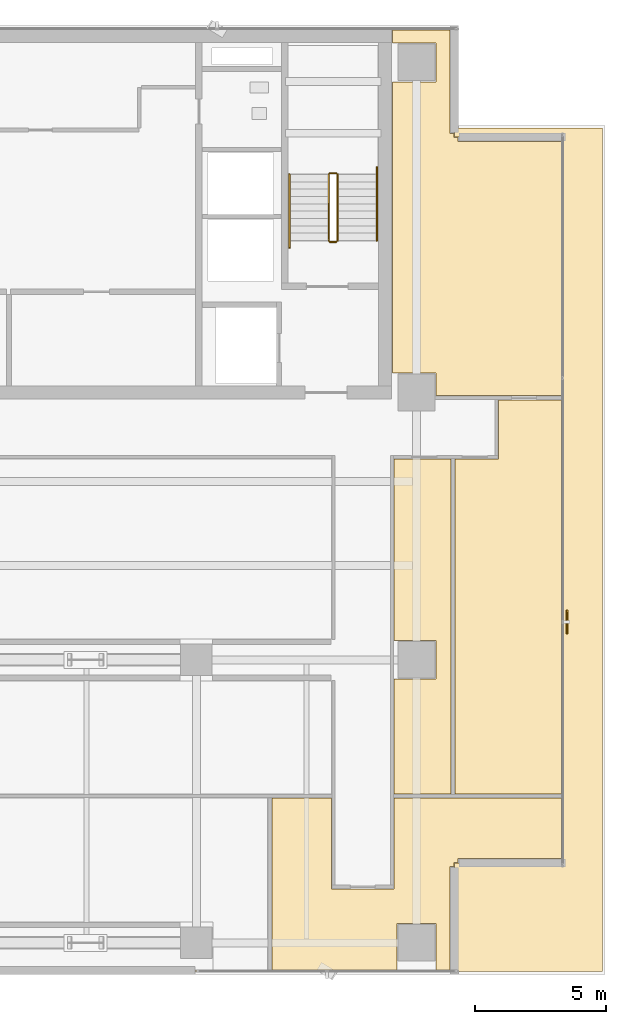
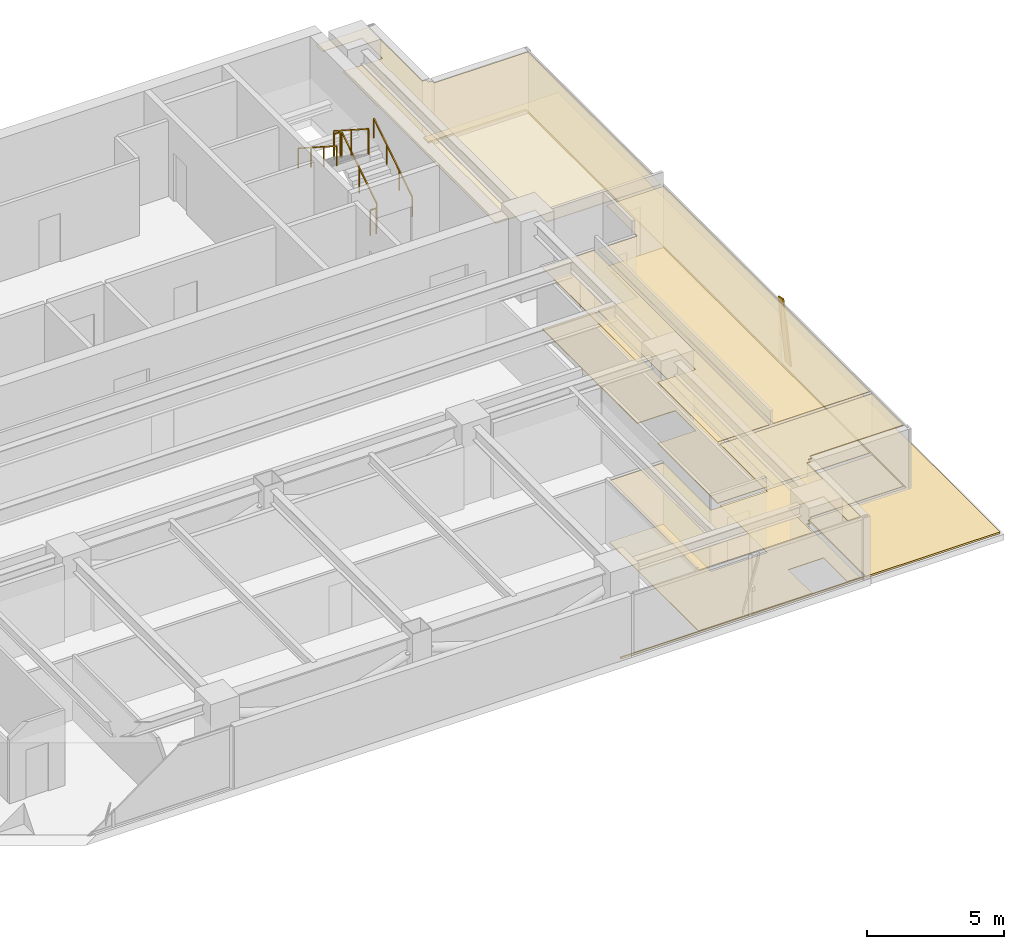
# One storey, part 25 of 27: 8 coverings, 6 railings, 1 shading device.
"""IFC4 building model written with IfcOpenShell, lengths in metres."""

from ifc_helpers import new_model, si_unit, direction, frame, origin, origin_2d, place, context, subcontext, project, spatial, polyline, rectangle, outline, extrude, source, transform, mapped, material, layer, layer_set, material_profile, profile_set, type_object, element, save


model = new_model("IFC4")

# Units and contexts
model_context = context("Model", 3, precision=1e-05, world=origin(), true_north=direction((0.0, 1.0)))
body_context = subcontext(model_context, "Body", "Model", "MODEL_VIEW")
ifc_project = project(units=[si_unit("LENGTHUNIT", "METRE"), si_unit("AREAUNIT", "SQUARE_METRE"), si_unit("VOLUMEUNIT", "CUBIC_METRE"), si_unit("PLANEANGLEUNIT", "RADIAN"), si_unit("MASSUNIT", "GRAM", prefix="KILO")], contexts=[model_context])

# Site, building, storey
site_placement = place(None, origin())
site = spatial("IfcSite", under=ifc_project, at=site_placement, CompositionType="ELEMENT")
building_placement = place(site_placement, origin())
building = spatial("IfcBuilding", under=site, at=building_placement, Name="Sumidabori Civic Tower", CompositionType="ELEMENT")
storey_placement = place(building_placement, frame((0.0, 0.0, 228.800048828125)))
storey = spatial("IfcBuildingStorey", under=building, at=storey_placement, Name="L59", CompositionType="ELEMENT", Elevation=228.800048828125)

# Coverings
ifc_material_1 = material(Name="Acoustic Mineral Gypsum Ceiling Tile")
ifc_layer_1 = layer(ifc_material_1, 0.034912109375, Name="Acoustic Mineral Gypsum Ceiling Tile")
ifc_layer_set_1 = layer_set([ifc_layer_1], Name="Acoustic Mineral Gypsum Ceiling Tile")
covering_type_1 = type_object("IfcCoveringType", Name="CV-CEIL-AC1", PredefinedType="CEILING", material=ifc_layer_set_1)
covering_1_placement = place(storey_placement, frame((0.0, 0.0, 2.719970703125)))
element("IfcCovering", 1, at=covering_1_placement, inside=storey, type_object=covering_type_1, Name="Room Acoustic Ceiling L59-02", PredefinedType="CEILING", context=body_context, shape_type="SweptSolid", body=[
    extrude(outline(polyline([(17.5400390625, 22.06005859375), (17.5400390625, 23.5400390625), (15.8779296875, 23.5400390625), (15.8779296875, 24.030029296875), (18.072021484375, 24.030029296875), (18.072021484375, 20.092041015625), (18.22998046875, 20.092041015625), (18.22998046875, 19.929931640625), (18.39208984375, 19.929931640625), (18.39208984375, 19.77197265625), (22.330078125, 19.77197265625), (22.330078125, 10.080078125), (19.93994140625, 10.080078125), (19.93994140625, 10.090087890625), (17.5400390625, 10.090087890625), (17.5400390625, 10.93994140625), (15.8779296875, 10.93994140625), (15.8779296875, 22.06005859375), (17.5400390625, 22.06005859375)])), origin(), (0.0, 0.0, 1.0), 0.034912109375),
])
covering_2_placement = place(storey_placement, frame((0.0, 0.0, 2.719970703125)))
element("IfcCovering", 2, at=covering_2_placement, inside=storey, type_object=covering_type_1, Name="Room Acoustic Ceiling L59-05", PredefinedType="CEILING", context=body_context, shape_type="SweptSolid", body=[
    extrude(outline(polyline([(18.280029296875, 7.659912109375), (19.93994140625, 7.659912109375), (19.93994140625, 9.919921875), (22.330078125, 9.919921875), (22.330078125, -5.1201171875), (18.280029296875, -5.1201171875), (18.280029296875, 7.659912109375)])), origin(), (0.0, 0.0, 1.0), 0.034912109375),
])
covering_3_placement = place(storey_placement, frame((0.0, 0.0, 2.719970703125)))
element("IfcCovering", 3, at=covering_3_placement, inside=storey, type_object=covering_type_1, Name="Room Acoustic Ceiling L59-07", PredefinedType="CEILING", context=body_context, shape_type="SweptSolid", body=[
    extrude(outline(polyline([(15.93994140625, -0.739990234375), (17.5400390625, -0.739990234375), (17.5400390625, 0.739990234375), (15.93994140625, 0.739990234375), (15.93994140625, 7.659912109375), (18.1201171875, 7.659912109375), (18.1201171875, -5.1201171875), (15.93994140625, -5.1201171875), (15.93994140625, -0.739990234375)])), origin(), (0.0, 0.0, 1.0), 0.034912109375),
])
covering_4_placement = place(storey_placement, frame((0.0, 0.0, 2.719970703125)))
element("IfcCovering", 4, at=covering_4_placement, inside=storey, type_object=covering_type_1, Name="Room Acoustic Ceiling L59-11", PredefinedType="CEILING", context=body_context, shape_type="SweptSolid", body=[
    extrude(outline(polyline([(13.56005859375, -8.739990234375), (15.93994140625, -8.739990234375), (15.93994140625, -5.280029296875), (22.330078125, -5.280029296875), (22.330078125, -7.572021484375), (18.39208984375, -7.572021484375), (18.39208984375, -7.72998046875), (18.22998046875, -7.72998046875), (18.22998046875, -7.89208984375), (18.072021484375, -7.89208984375), (18.072021484375, -11.830078125), (17.5400390625, -11.830078125), (17.5400390625, -10.06005859375), (16.06005859375, -10.06005859375), (16.06005859375, -11.830078125), (11.280029296875, -11.830078125), (11.280029296875, -5.280029296875), (13.56005859375, -5.280029296875), (13.56005859375, -8.739990234375)])), origin(), (0.0, 0.0, 1.0), 0.034912109375),
])
ifc_material_2 = material(Name="Honed Terrazzo Tile Flooring")
ifc_layer_2 = layer(ifc_material_2, 0.030029296875, Name="Honed Terrazzo Tile Flooring")
ifc_layer_set_2 = layer_set([ifc_layer_2], Name="Honed Terrazzo Tile Flooring")
covering_type_2 = type_object("IfcCoveringType", Name="CV-FLR-TER", PredefinedType="FLOORING", material=ifc_layer_set_2)
covering_5_placement = place(storey_placement, origin())
element("IfcCovering", 5, at=covering_5_placement, inside=storey, type_object=covering_type_2, Name="Room Terrazzo Floor L59-05", PredefinedType="FLOORING", context=body_context, shape_type="SweptSolid", body=[
    extrude(outline(polyline([(18.280029296875, 7.659912109375), (19.93994140625, 7.659912109375), (19.93994140625, 9.919921875), (22.330078125, 9.919921875), (22.330078125, -5.1201171875), (18.280029296875, -5.1201171875), (18.280029296875, 7.659912109375)])), origin(), (0.0, 0.0, 1.0), 0.030029296875),
])
covering_6_placement = place(storey_placement, origin())
element("IfcCovering", 6, at=covering_6_placement, inside=storey, type_object=covering_type_2, Name="Room Terrazzo Floor L59-07", PredefinedType="FLOORING", context=body_context, shape_type="SweptSolid", body=[
    extrude(outline(polyline([(15.93994140625, -0.739990234375), (17.5400390625, -0.739990234375), (17.5400390625, 0.739990234375), (15.93994140625, 0.739990234375), (15.93994140625, 7.659912109375), (18.1201171875, 7.659912109375), (18.1201171875, -5.1201171875), (15.93994140625, -5.1201171875), (15.93994140625, -0.739990234375)])), origin(), (0.0, 0.0, 1.0), 0.030029296875),
])
covering_7_placement = place(storey_placement, origin())
element("IfcCovering", 7, at=covering_7_placement, inside=storey, type_object=covering_type_2, Name="Room Terrazzo Floor L59-11", PredefinedType="FLOORING", context=body_context, shape_type="SweptSolid", body=[
    extrude(outline(polyline([(13.56005859375, -8.739990234375), (15.93994140625, -8.739990234375), (15.93994140625, -5.280029296875), (22.330078125, -5.280029296875), (22.330078125, -7.572021484375), (18.39208984375, -7.572021484375), (18.39208984375, -7.72998046875), (18.22998046875, -7.72998046875), (18.22998046875, -7.89208984375), (18.072021484375, -7.89208984375), (18.072021484375, -11.830078125), (17.5400390625, -11.830078125), (17.5400390625, -10.06005859375), (16.06005859375, -10.06005859375), (16.06005859375, -11.830078125), (11.280029296875, -11.830078125), (11.280029296875, -5.280029296875), (13.56005859375, -5.280029296875), (13.56005859375, -8.739990234375)])), origin(), (0.0, 0.0, 1.0), 0.030029296875),
])
ifc_material_3 = material(Name="Insulated Waterproof Roofing Membrane")
ifc_layer_3 = layer(ifc_material_3, 0.080078125, Name="Insulated Waterproof Roofing Membrane")
ifc_layer_set_3 = layer_set([ifc_layer_3], Name="Insulated Waterproof Roofing Membrane")
covering_type_3 = type_object("IfcCoveringType", Name="CV-ROOF-MEM", PredefinedType="ROOFING", material=ifc_layer_set_3)
covering_8_placement = place(storey_placement, origin())
element("IfcCovering", 8, at=covering_8_placement, inside=storey, type_object=covering_type_3, Name="Setback Roof Membrane L59-2", PredefinedType="ROOFING", context=body_context, shape_type="SweptSolid", body=[
    extrude(outline(polyline([(23.89990234375, 20.300048828125), (23.89990234375, -11.89990234375), (7.949951171875, -11.89990234375), (7.949951171875, -11.85009765625), (18.25, -11.85009765625), (18.25, -7.75), (22.35009765625, -7.75), (22.35009765625, 19.949951171875), (18.25, 19.949951171875), (18.25, 20.300048828125), (23.89990234375, 20.300048828125)])), origin(), (0.0, 0.0, 1.0), 0.079833984375),
])

# Railings
ifc_material_4 = material(Name="Stainless Steel Hairline Finish", Category="steel")
railing_type_1 = type_object("IfcRailingType", Name="RL-HANDRAIL", PredefinedType="HANDRAIL", material=ifc_material_4)
railing_1_placement = place(storey_placement, frame((15.2900390625, 16.0, 0.179931640625)))
element("IfcRailing", 9, at=railing_1_placement, inside=storey, type_object=railing_type_1, Name="L59 ST-2 stair handrail 1", PredefinedType="HANDRAIL", context=body_context, shape_type="SweptSolid", body=[
    extrude(rectangle(XDim=0.048095703125, YDim=0.048095703125, at=origin_2d()), frame((0.0, 0.0, 0.8759765625), z_axis=(0.0, 0.840675598268, 0.541539046124), x_axis=(-1.0, 0.0, 0.0)), (0.0, 0.0, 1.0), 3.330810546875),
    extrude(rectangle(XDim=0.0419921875, YDim=0.0419921875, at=origin_2d()), origin(), (0.0, 0.0, 1.0), 0.851806640625),
    extrude(rectangle(XDim=0.0419921875, YDim=0.0419921875, at=origin_2d()), frame((0.0, 0.933349609375, 0.601318359375)), (0.0, 0.0, 1.0), 0.851806640625),
    extrude(rectangle(XDim=0.0419921875, YDim=0.0419921875, at=origin_2d()), frame((0.0, 1.86669921875, 1.202392578125)), (0.0, 0.0, 1.0), 0.851806640625),
    extrude(rectangle(XDim=0.0419921875, YDim=0.0419921875, at=origin_2d()), frame((0.0, 2.800048828125, 1.8037109375)), (0.0, 0.0, 1.0), 0.851806640625),
])
railing_2_placement = place(storey_placement, frame((11.949951171875, 18.52001953125, 1.97998046875)))
element("IfcRailing", 10, at=railing_2_placement, inside=storey, type_object=railing_type_1, Name="L59 ST-2 stair handrail 2", PredefinedType="HANDRAIL", context=body_context, shape_type="SweptSolid", body=[
    extrude(rectangle(XDim=0.048095703125, YDim=0.048095703125, at=origin_2d()), frame((0.0, 0.0, 0.8759765625), z_axis=(0.0, -0.840675598268, 0.541539046124), x_axis=(1.0, 0.0, 0.0)), (0.0, 0.0, 1.0), 3.330810546875),
    extrude(rectangle(XDim=0.0419921875, YDim=0.0419921875, at=origin_2d()), origin(), (0.0, 0.0, 1.0), 0.851806640625),
    extrude(rectangle(XDim=0.0419921875, YDim=0.0419921875, at=origin_2d()), frame((0.0, -0.933349609375, 0.601318359375)), (0.0, 0.0, 1.0), 0.851806640625),
    extrude(rectangle(XDim=0.0419921875, YDim=0.0419921875, at=origin_2d()), frame((0.0, -1.86669921875, 1.202392578125)), (0.0, 0.0, 1.0), 0.851806640625),
    extrude(rectangle(XDim=0.0419921875, YDim=0.0419921875, at=origin_2d()), frame((0.0, -2.800048828125, 1.8037109375)), (0.0, 0.0, 1.0), 0.851806640625),
])
ifc_material_5 = material(Name="Steel SN490", Category="steel")
railing_type_2 = type_object("IfcRailingType", Name="RL-STAIR-GUARD", PredefinedType="GUARDRAIL", material=ifc_material_5)
railing_3_placement = place(storey_placement, frame((13.7900390625, 16.0, 0.179931640625)))
element("IfcRailing", 11, at=railing_3_placement, inside=storey, type_object=railing_type_2, Name="L59 ST-2 stair guard 1", PredefinedType="GUARDRAIL", context=body_context, shape_type="SweptSolid", body=[
    extrude(rectangle(XDim=0.048095703125, YDim=0.048095703125, at=origin_2d()), frame((0.0, 0.0, 1.1259765625), z_axis=(0.0, 0.841162588446, 0.540782303519), x_axis=(-1.0, 0.0, 0.0)), (0.0, 0.0, 1.0), 2.995849609375),
    extrude(rectangle(XDim=0.0419921875, YDim=0.0419921875, at=origin_2d()), origin(), (0.0, 0.0, 1.0), 1.101806640625),
    extrude(rectangle(XDim=0.0419921875, YDim=0.0419921875, at=origin_2d()), frame((0.0, 1.260009765625, 0.81005859375)), (0.0, 0.0, 1.0), 1.101806640625),
    extrude(rectangle(XDim=0.0419921875, YDim=0.0419921875, at=origin_2d()), frame((0.0, 2.52001953125, 1.6201171875)), (0.0, 0.0, 1.0), 1.101806640625),
])
railing_4_placement = place(storey_placement, frame((13.739990234375, 18.570068359375, 1.800048828125)))
element("IfcRailing", 12, at=railing_4_placement, inside=storey, type_object=railing_type_2, Name="L59 ST-2 stair guard 2", PredefinedType="GUARDRAIL", context=body_context, shape_type="SweptSolid", body=[
    extrude(rectangle(XDim=0.048095703125, YDim=0.048095703125, at=origin_2d()), frame((0.0, 0.0, 1.1259765625), z_axis=(-1.0, 0.0, 0.0), x_axis=(0.0, -1.0, 0.0)), (0.0, 0.0, 1.0), 0.239990234375),
    extrude(rectangle(XDim=0.0419921875, YDim=0.0419921875, at=origin_2d()), origin(), (0.0, 0.0, 1.0), 1.101806640625),
    extrude(rectangle(XDim=0.0419921875, YDim=0.0419921875, at=origin_2d()), frame((-0.239990234375, 0.0, 0.0)), (0.0, 0.0, 1.0), 1.101806640625),
])
railing_5_placement = place(storey_placement, frame((13.449951171875, 18.52001953125, 1.97998046875)))
element("IfcRailing", 13, at=railing_5_placement, inside=storey, type_object=railing_type_2, Name="L59 ST-2 stair guard 3", PredefinedType="GUARDRAIL", context=body_context, shape_type="SweptSolid", body=[
    extrude(rectangle(XDim=0.048095703125, YDim=0.048095703125, at=origin_2d()), frame((0.0, 0.0, 1.1259765625), z_axis=(0.0, -0.841199657755, 0.540724639528), x_axis=(1.0, 0.0, 0.0)), (0.0, 0.0, 1.0), 2.995849609375),
    extrude(rectangle(XDim=0.0419921875, YDim=0.0419921875, at=origin_2d()), origin(), (0.0, 0.0, 1.0), 1.101806640625),
    extrude(rectangle(XDim=0.0419921875, YDim=0.0419921875, at=origin_2d()), frame((0.0, -1.260009765625, 0.81005859375)), (0.0, 0.0, 1.0), 1.101806640625),
    extrude(rectangle(XDim=0.0419921875, YDim=0.0419921875, at=origin_2d()), frame((0.0, -2.52001953125, 1.619873046875)), (0.0, 0.0, 1.0), 1.101806640625),
])
railing_6_placement = place(storey_placement, frame((13.739990234375, 15.949951171875, 0.0)))
element("IfcRailing", 14, at=railing_6_placement, inside=storey, type_object=railing_type_2, Name="L59 ST-2 stair guard 4", PredefinedType="GUARDRAIL", context=body_context, shape_type="SweptSolid", body=[
    extrude(rectangle(XDim=0.048095703125, YDim=0.048095703125, at=origin_2d()), frame((0.0, 0.0, 1.1259765625), z_axis=(-1.0, 0.0, 0.0), x_axis=(0.0, -1.0, 0.0)), (0.0, 0.0, 1.0), 0.239990234375),
    extrude(rectangle(XDim=0.0419921875, YDim=0.0419921875, at=origin_2d()), origin(), (0.0, 0.0, 1.0), 1.101806640625),
    extrude(rectangle(XDim=0.0419921875, YDim=0.0419921875, at=origin_2d()), frame((-0.239990234375, 0.0, 0.0)), (0.0, 0.0, 1.0), 1.101806640625),
])

# Shading device
ifc_material_6 = material(Name="Anodised Bronze Aluminium AW-6063-T6", Category="aluminium")
ifc_material_profile = material_profile(ifc_material_6, rectangle(XDim=0.054931640625, YDim=0.360107421875, at=origin_2d()), Name="BRONZE FIN 360x55")
ifc_profile_set = profile_set([ifc_material_profile], Name="Anodised Bronze Aluminium AW-6063-T6")
shading_device_type = type_object("IfcShadingDeviceType", Name="SH-FIN-360", PredefinedType="USERDEFINED", material=ifc_profile_set)
shared_shape = source(origin(), body_context, "Body", "SweptSolid", [
    extrude(rectangle(XDim=0.054931640625, YDim=0.360107421875, at=origin_2d()), origin(), (0.0, 0.0, 1.0), 2.74755859375),
])
shading_device_placement = place(storey_placement, frame((22.550048828125, 1.163330078125, 0.02001953125), z_axis=(0.0, 0.20383361069, 0.979005546028), x_axis=(-1.0, 0.0, 0.0)))
element("IfcShadingDevice", 15, at=shading_device_placement, inside=storey, type_object=shading_device_type, Name="Bronze Anodised Diagonal Fin L59-01", ObjectType="FIN", PredefinedType="USERDEFINED", context=body_context, shape_type="MappedRepresentation", body=[
    mapped(shared_shape, transform((0.0, 0.0, 0.0), x_axis=(1.0, 0.0, 0.0), y_axis=(0.0, 1.0, 0.0), z_axis=(0.0, 0.0, 1.0), scale=1.0)),
])

save(model, "model.ifc")
